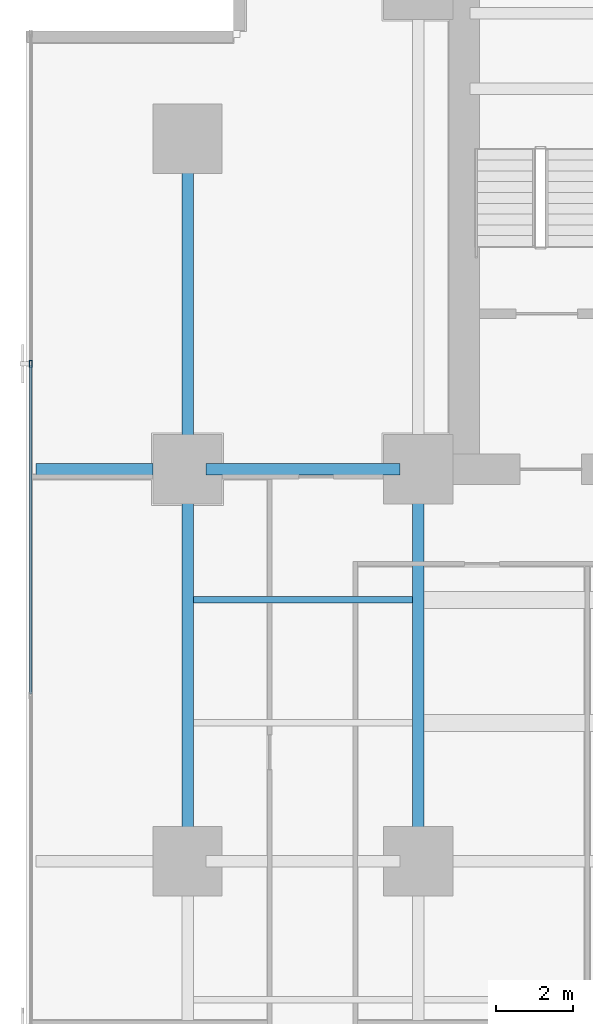
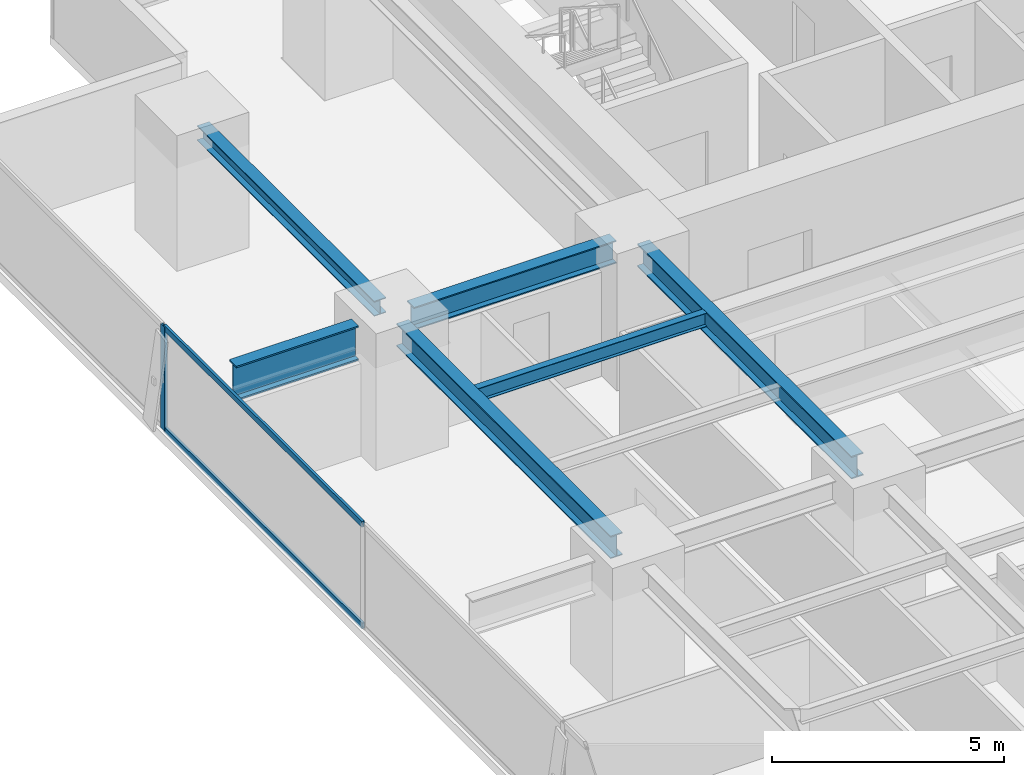
# One storey, part 16 of 33: 6 beams, 3 members, 1 element without a shape of its own.
"""IFC4 building model written with IfcOpenShell, lengths in metres."""

from ifc_helpers import new_model, si_unit, direction, frame, origin, origin_2d, place, context, subcontext, project, spatial, hollow_rectangle, i_section, extrude, source, transform, mapped, material, layer, layer_set, material_profile, profile_set, type_object, element, aggregate, save


model = new_model("IFC4")

# Units and contexts
model_context = context("Model", 3, precision=1e-05, world=origin(), true_north=direction((0.0, 1.0)))
body_context = subcontext(model_context, "Body", "Model", "MODEL_VIEW")
ifc_project = project(units=[si_unit("LENGTHUNIT", "METRE"), si_unit("AREAUNIT", "SQUARE_METRE"), si_unit("VOLUMEUNIT", "CUBIC_METRE"), si_unit("PLANEANGLEUNIT", "RADIAN"), si_unit("MASSUNIT", "GRAM", prefix="KILO")], contexts=[model_context])

# Site, building, storey
site_placement = place(None, origin())
site = spatial("IfcSite", under=ifc_project, at=site_placement, CompositionType="ELEMENT")
building_placement = place(site_placement, origin())
building = spatial("IfcBuilding", under=site, at=building_placement, Name="Sumidabori Civic Tower", CompositionType="ELEMENT")
storey_placement = place(building_placement, frame((0.0, 0.0, 30.800048828125)))
storey = spatial("IfcBuildingStorey", under=building, at=storey_placement, Name="L07", CompositionType="ELEMENT", Elevation=30.800048828125)

# Beams
ifc_material_1 = material(Name="Steel SN490", Category="steel")
ifc_material_profile_1 = material_profile(ifc_material_1, i_section(OverallWidth=0.300048828125, OverallDepth=0.60009765625, WebThickness=0.015380859375, FlangeThickness=0.030029296875, at=origin_2d()), Name="HE 600 B")
ifc_profile_set_1 = profile_set([ifc_material_profile_1], Name="Steel SN490")
beam_type_1 = type_object("IfcBeamType", Name="BM-GIRD-600", PredefinedType="BEAM", material=ifc_profile_set_1)
shared_shape_1 = source(origin(), body_context, "Body", "SweptSolid", [
    extrude(i_section(OverallWidth=0.300048828125, OverallDepth=0.60009765625, WebThickness=0.015380859375, FlangeThickness=0.030029296875, at=origin_2d()), origin(), (0.0, 0.0, 1.0), 5.0400390625),
])
beam_1_placement = place(storey_placement, frame((-22.320068359375, 10.199951171875, 3.06005859375), z_axis=(1.0, 0.0, 0.0), x_axis=(0.0, 1.0, 0.0)))
element("IfcBeam", 1, at=beam_1_placement, inside=storey, type_object=beam_type_1, Name="Primary Girder L07 GX-19", PredefinedType="BEAM", context=body_context, shape_type="MappedRepresentation", body=[
    mapped(shared_shape_1, transform((0.0, 0.0, 0.0), x_axis=(1.0, 0.0, 0.0), y_axis=(0.0, 1.0, 0.0), z_axis=(0.0, 0.0, 1.0), scale=1.0)),
])
shared_shape_2 = source(origin(), body_context, "Body", "SweptSolid", [
    extrude(i_section(OverallWidth=0.300048828125, OverallDepth=0.60009765625, WebThickness=0.015380859375, FlangeThickness=0.030029296875, at=origin_2d()), origin(), (0.0, 0.0, 1.0), 9.239990234375),
])
for number, where, z_axis, x_axis, name in (
    (2, (-22.800048828125, 0.47998046875, 3.06005859375), (0.0, 1.0, 0.0), (-1.0, 0.0, 0.0), "Primary Girder L07 GY-23"),
    (3, (-16.800048828125, 0.47998046875, 3.06005859375), (0.0, 1.0, 0.0), (-1.0, 0.0, 0.0), "Primary Girder L07 GY-27"),
):
    element("IfcBeam", number, at=place(storey_placement, frame(where, z_axis=z_axis, x_axis=x_axis)), inside=storey, type_object=beam_type_1, Name=name, PredefinedType="BEAM", context=body_context, shape_type="MappedRepresentation", body=[
        mapped(shared_shape_2, transform((0.0, 0.0, 0.0), x_axis=(1.0, 0.0, 0.0), y_axis=(0.0, 1.0, 0.0), z_axis=(0.0, 0.0, 1.0), scale=1.0)),
    ])
ifc_material_profile_2 = material_profile(ifc_material_1, i_section(OverallWidth=0.300048828125, OverallDepth=0.39990234375, WebThickness=0.013427734375, FlangeThickness=0.02392578125, at=origin_2d()), Name="HE 400 B")
ifc_profile_set_2 = profile_set([ifc_material_profile_2], Name="Steel SN490")
beam_type_2 = type_object("IfcBeamType", Name="BM-GIRD-400", PredefinedType="BEAM", material=ifc_profile_set_2)
shared_shape_3 = source(origin(), body_context, "Body", "SweptSolid", [
    extrude(i_section(OverallWidth=0.300048828125, OverallDepth=0.39990234375, WebThickness=0.013427734375, FlangeThickness=0.02392578125, at=origin_2d()), origin(), (0.0, 0.0, 1.0), 7.64013671875),
])
beam_2_placement = place(storey_placement, frame((-22.800048828125, 10.679931640625, 3.159912109375), z_axis=(0.0, 1.0, 0.0), x_axis=(-1.0, 0.0, 0.0)))
element("IfcBeam", 4, at=beam_2_placement, inside=storey, type_object=beam_type_2, Name="Primary Girder L07 GY-24", PredefinedType="BEAM", context=body_context, shape_type="MappedRepresentation", body=[
    mapped(shared_shape_3, transform((0.0, 0.0, 0.0), x_axis=(1.0, 0.0, 0.0), y_axis=(0.0, 1.0, 0.0), z_axis=(0.0, 0.0, 1.0), scale=1.0)),
])
ifc_material_profile_3 = material_profile(ifc_material_1, i_section(OverallWidth=0.302001953125, OverallDepth=0.909912109375, WebThickness=0.02099609375, FlangeThickness=0.0400390625, at=origin_2d()), Name="HE 900 M")
ifc_profile_set_3 = profile_set([ifc_material_profile_3], Name="Steel SN490")
beam_type_3 = type_object("IfcBeamType", Name="BM-Z1-EDGE", PredefinedType="SPANDREL", material=ifc_profile_set_3)
shared_shape_4 = source(origin(), body_context, "Body", "SweptSolid", [
    extrude(i_section(OverallWidth=0.302001953125, OverallDepth=0.909912109375, WebThickness=0.02099609375, FlangeThickness=0.0400390625, at=origin_2d()), origin(), (0.0, 0.0, 1.0), 3.050048828125),
])
beam_3_placement = place(storey_placement, frame((-26.75, 10.199951171875, 2.905029296875), z_axis=(1.0, 0.0, 0.0), x_axis=(0.0, 1.0, 0.0)))
element("IfcBeam", 5, at=beam_3_placement, inside=storey, type_object=beam_type_3, Name="Perimeter Overhang Beam L07 W-48", PredefinedType="SPANDREL", context=body_context, shape_type="MappedRepresentation", body=[
    mapped(shared_shape_4, transform((0.0, 0.0, 0.0), x_axis=(1.0, 0.0, 0.0), y_axis=(0.0, 1.0, 0.0), z_axis=(0.0, 0.0, 1.0), scale=1.0)),
])
ifc_material_profile_4 = material_profile(ifc_material_1, i_section(OverallWidth=0.169921875, OverallDepth=0.360107421875, WebThickness=0.008056640625, FlangeThickness=0.0126953125, at=origin_2d()), Name="IPE 360")
ifc_profile_set_4 = profile_set([ifc_material_profile_4], Name="Steel SN490")
beam_type_4 = type_object("IfcBeamType", Name="BM-JST-360", PredefinedType="JOIST", material=ifc_profile_set_4)
shared_shape_5 = source(origin(), body_context, "Body", "SweptSolid", [
    extrude(i_section(OverallWidth=0.169921875, OverallDepth=0.360107421875, WebThickness=0.008056640625, FlangeThickness=0.0126953125, at=origin_2d()), origin(), (0.0, 0.0, 1.0), 5.699951171875),
])
beam_4_placement = place(storey_placement, frame((-22.64990234375, 6.800048828125, 3.179931640625), z_axis=(1.0, 0.0, 0.0), x_axis=(0.0, 1.0, 0.0)))
element("IfcBeam", 6, at=beam_4_placement, inside=storey, type_object=beam_type_4, Name="Outer Bay Floor Joist L07 JSTO-55", PredefinedType="JOIST", context=body_context, shape_type="MappedRepresentation", body=[
    mapped(shared_shape_5, transform((0.0, 0.0, 0.0), x_axis=(1.0, 0.0, 0.0), y_axis=(0.0, 1.0, 0.0), z_axis=(0.0, 0.0, 1.0), scale=1.0)),
])

# Curtain wall, members
ifc_material_2 = material(Name="Anodised Bronze Aluminium AW-6063-T6", Category="aluminium")
ifc_layer = layer(ifc_material_2, 0.179931640625, Name="Anodised Bronze Aluminium AW-6063-T6")
ifc_layer_set = layer_set([ifc_layer], Name="Anodised Bronze Aluminium AW-6063-T6")
curtain_wall_type = type_object("IfcCurtainWallType", Name="CW-SYS-2", PredefinedType="NOTDEFINED", material=ifc_layer_set)
curtain_wall_placement = place(storey_placement, origin())
curtain_wall = element("IfcCurtainWall", 7, at=curtain_wall_placement, inside=storey, type_object=curtain_wall_type, Name="Curtain Wall CW:L07:R10", PredefinedType="NOTDEFINED")
ifc_material_profile_5 = material_profile(ifc_material_2, hollow_rectangle(XDim=0.070068359375, YDim=0.179931640625, WallThickness=0.006103515625, at=origin_2d()), Name="ALU MULLION 180x70")
ifc_profile_set_5 = profile_set([ifc_material_profile_5], Name="Anodised Bronze Aluminium AW-6063-T6")
member_type_1 = type_object("IfcMemberType", Name="CW-MUL-180", PredefinedType="MULLION", material=ifc_profile_set_5)
shared_shape_6 = source(origin(), body_context, "Body", "SweptSolid", [
    extrude(hollow_rectangle(XDim=0.070068359375, YDim=0.179931640625, WallThickness=0.006103515625, at=origin_2d()), origin(), (0.0, 0.0, 1.0), 2.739990234375),
])
member_1_placement = place(storey_placement, frame((-26.8798828125, 12.94189453125, 0.0), z_axis=(0.0, 0.0, 1.0), x_axis=(1.0, 0.0, 0.0)))
member_1 = element("IfcMember", 8, at=member_1_placement, type_object=member_type_1, Name="CW-2 mullion 2", PredefinedType="MULLION", context=body_context, shape_type="MappedRepresentation", body=[
    mapped(shared_shape_6, transform((0.0, 0.0, 0.0), x_axis=(1.0, 0.0, 0.0), y_axis=(0.0, 1.0, 0.0), z_axis=(0.0, 0.0, 1.0), scale=1.0)),
])
ifc_material_profile_6 = material_profile(ifc_material_2, hollow_rectangle(XDim=0.06494140625, YDim=0.14990234375, WallThickness=0.0048828125, at=origin_2d()), Name="ALU TRANSOM 150x65")
ifc_profile_set_6 = profile_set([ifc_material_profile_6], Name="Anodised Bronze Aluminium AW-6063-T6")
member_type_2 = type_object("IfcMemberType", Name="CW-TRN-150", PredefinedType="USERDEFINED", material=ifc_profile_set_6)
shared_shape_7 = source(origin(), body_context, "Body", "SweptSolid", [
    extrude(hollow_rectangle(XDim=0.06494140625, YDim=0.14990234375, WallThickness=0.0048828125, at=origin_2d()), origin(), (0.0, 0.0, 1.0), 8.557861328125),
])
member_2_placement = place(storey_placement, frame((-26.8798828125, 12.906982421875, 0.032470703125), z_axis=(0.0, -1.0, 0.0), x_axis=(1.0, 0.0, 0.0)))
member_2 = element("IfcMember", 9, at=member_2_placement, type_object=member_type_2, Name="CW-2 transom 2.1", ObjectType="TRANSOM", PredefinedType="USERDEFINED", context=body_context, shape_type="MappedRepresentation", body=[
    mapped(shared_shape_7, transform((0.0, 0.0, 0.0), x_axis=(1.0, 0.0, 0.0), y_axis=(0.0, 1.0, 0.0), z_axis=(0.0, 0.0, 1.0), scale=1.0)),
])
member_3_placement = place(storey_placement, frame((-26.8798828125, 12.906982421875, 2.70751953125), z_axis=(0.0, -1.0, 0.0), x_axis=(1.0, 0.0, 0.0)))
member_3 = element("IfcMember", 10, at=member_3_placement, type_object=member_type_2, Name="CW-2 transom 2.2", ObjectType="TRANSOM", PredefinedType="USERDEFINED", context=body_context, shape_type="MappedRepresentation", body=[
    mapped(shared_shape_7, transform((0.0, 0.0, 0.0), x_axis=(1.0, 0.0, 0.0), y_axis=(0.0, 1.0, 0.0), z_axis=(0.0, 0.0, 1.0), scale=1.0)),
])
aggregate(curtain_wall, [member_1, member_2, member_3])

save(model, "model.ifc")
